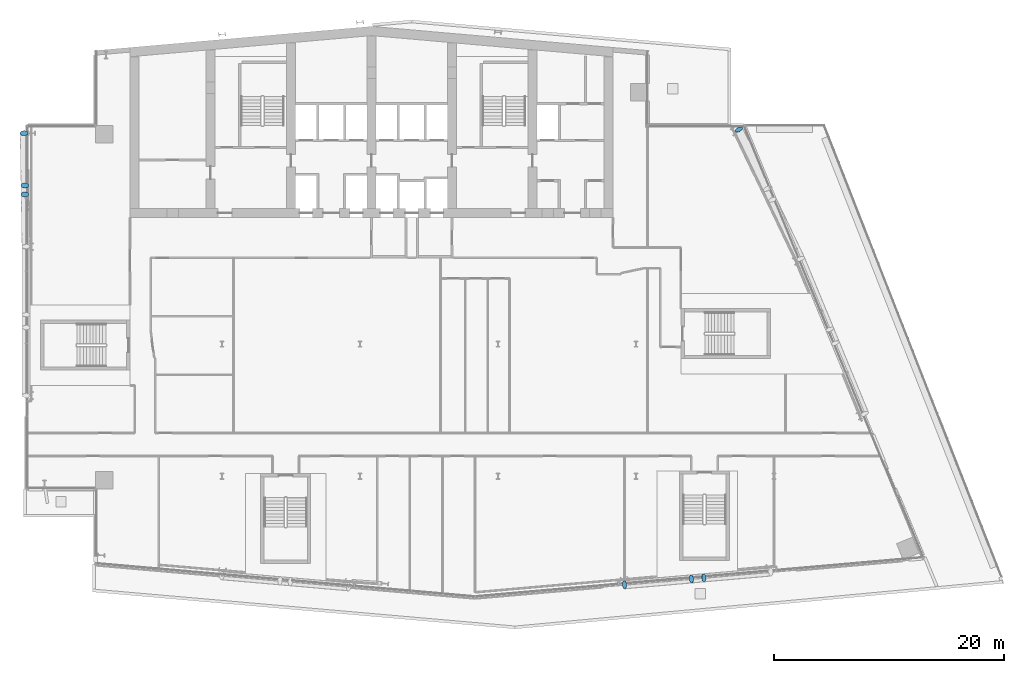
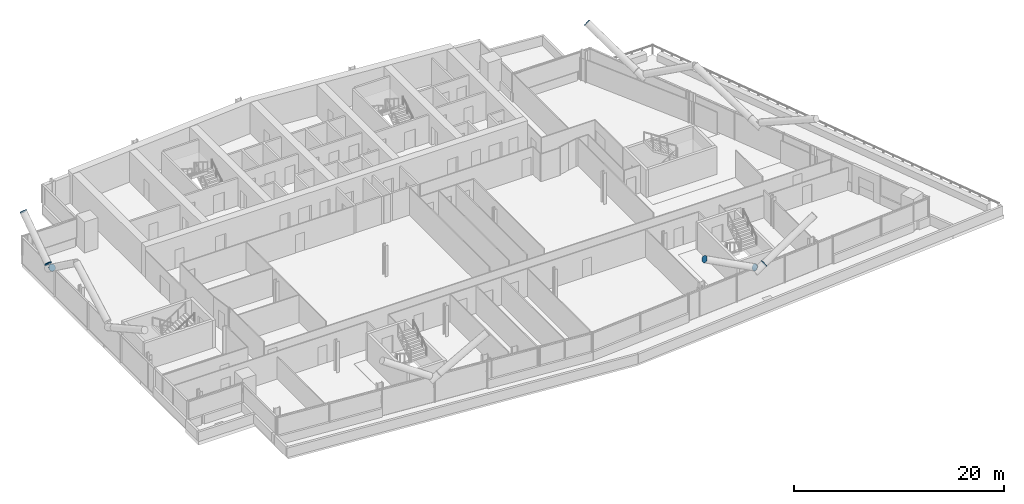
# One storey, part 25 of 30: 7 discrete accessories.
"""IFC4 building model written with IfcOpenShell, lengths in metres."""

import ifcopenshell
import ifcopenshell.guid

model = None  # the IFC model being written
_history = None  # IfcOwnerHistory: only IFC2X3 demands one
_inside = {}  # id of a spatial element -> (the spatial element, [elements in it])
_under = {}  # id of a project, library or spatial element -> (it, [spatial elements below it])
_declared = {}  # id of a project -> (the project, [libraries it declares])
_typed = {}  # id of a type object -> (the type object, [elements of that type])
_made_of = {}  # id of a material, layer set ... -> (it, [elements and type objects made of it])


def new_model(schema):
    """Start an empty IFC model of exactly this schema.

    Asked for "IFC4X3", IfcOpenShell would pick the latest addendum, in which some entities
    have other attributes; the version numbers below select the first issue.
    IFC2X3 requires an IfcOwnerHistory on every rooted entity: one is made here for all.
    """
    global model, _history
    if schema == "IFC4X3":
        model = ifcopenshell.file(schema_version=(4, 3, 0, 0))
    else:
        model = ifcopenshell.file(schema=schema)
    _inside.clear()
    _under.clear()
    _declared.clear()
    _typed.clear()
    _made_of.clear()
    _history = None
    if model.schema == "IFC2X3":
        org = make("IfcOrganization", Name="unknown")
        user = make(
            "IfcPersonAndOrganization",
            ThePerson=make("IfcPerson", FamilyName="unknown"),
            TheOrganization=org,
        )
        app = make(
            "IfcApplication",
            ApplicationDeveloper=org,
            Version="unknown",
            ApplicationFullName="unknown",
            ApplicationIdentifier="unknown",
        )
        _history = make(
            "IfcOwnerHistory",
            OwningUser=user,
            OwningApplication=app,
            ChangeAction="ADDED",
            CreationDate=0,
        )
    return model


def make(cls, **values):
    """One entity of the class cls with the attributes given. An attribute that is None is left unset."""
    return model.create_entity(
        cls, **{name: value for name, value in values.items() if value is not None}
    )


def rooted(cls, **values):
    """An entity with a GlobalId (a new one), such as an element, a storey or a relation."""
    return make(cls, GlobalId=ifcopenshell.guid.new(), OwnerHistory=_history, **values)


def si_unit(unit_type, name, prefix=None):
    """IfcSIUnit, for example si_unit("LENGTHUNIT", "METRE", prefix="MILLI")."""
    return make("IfcSIUnit", UnitType=unit_type, Prefix=prefix, Name=name)


def assignment(units):
    """IfcUnitAssignment: the units of a project."""
    return None if units is None else make("IfcUnitAssignment", Units=units)


def point(xyz):
    """IfcCartesianPoint."""
    return None if xyz is None else make("IfcCartesianPoint", Coordinates=xyz)


def direction(xyz):
    """IfcDirection."""
    return None if xyz is None else make("IfcDirection", DirectionRatios=xyz)


def frame(location, z_axis=None, x_axis=None):
    """IfcAxis2Placement3D, a coordinate frame: its origin and axes. An axis left out is left unset."""
    return make(
        "IfcAxis2Placement3D",
        Location=point(location),
        Axis=direction(z_axis),
        RefDirection=direction(x_axis),
    )


def frame_2d(location, x_axis=None):
    """IfcAxis2Placement2D, a coordinate frame in the plane: its origin and x axis."""
    return make(
        "IfcAxis2Placement2D", Location=point(location), RefDirection=direction(x_axis)
    )


def origin():
    """The frame at (0, 0, 0) with its axes left unset."""
    return frame((0.0, 0.0, 0.0))


def origin_2d():
    """The frame at (0, 0) in the plane with its x axis left unset."""
    return frame_2d((0.0, 0.0))


def place(relative_to, where):
    """IfcLocalPlacement: puts the frame where relative to a parent placement (None: the world)."""
    return make(
        "IfcLocalPlacement", PlacementRelTo=relative_to, RelativePlacement=where
    )


def context(
    kind, dimensions, precision=None, world=None, true_north=None, identifier=None
):
    """IfcGeometricRepresentationContext, for example the 3D "Model" context."""
    return make(
        "IfcGeometricRepresentationContext",
        ContextIdentifier=identifier,
        ContextType=kind,
        CoordinateSpaceDimension=dimensions,
        Precision=precision,
        WorldCoordinateSystem=world,
        TrueNorth=true_north,
    )


def subcontext(parent, identifier, kind, view, scale=None):
    """IfcGeometricRepresentationSubContext, for example "Body" below "Model"."""
    return make(
        "IfcGeometricRepresentationSubContext",
        ContextIdentifier=identifier,
        ContextType=kind,
        ParentContext=parent,
        TargetScale=scale,
        TargetView=view,
    )


def project(units=None, contexts=None):
    """IfcProject with its units and contexts."""
    return rooted(
        "IfcProject",
        Name="project",
        RepresentationContexts=contexts,
        UnitsInContext=assignment(units),
    )


def spatial(cls, under=None, at=None, **own):
    """A site, building, storey or space (cls), placed at a placement, below another one or the project."""
    s = rooted(cls, ObjectPlacement=at, **own)
    if under is not None:
        _under.setdefault(under.id(), (under, []))[1].append(s)
    return s


def profile(cls, at=None, kind="AREA", **sizes):
    """A parametric profile (cls). Its sizes go by their IFC names, for example OverallWidth=200.0."""
    return make(cls, ProfileType=kind, Position=at, **sizes)


def circle(**sizes):
    """IfcCircleProfileDef."""
    return profile("IfcCircleProfileDef", **sizes)


def extrude(swept, where, along, depth):
    """IfcExtrudedAreaSolid: the profile swept, set in the frame where, extruded along a direction by depth."""
    return make(
        "IfcExtrudedAreaSolid",
        SweptArea=swept,
        Position=where,
        ExtrudedDirection=direction(along),
        Depth=depth,
    )


def shape(context_of_items, identifier, shape_type, items):
    """IfcShapeRepresentation: the items that make up one representation, for example the "Body"."""
    return make(
        "IfcShapeRepresentation",
        ContextOfItems=context_of_items,
        RepresentationIdentifier=identifier,
        RepresentationType=shape_type,
        Items=items,
    )


def material(Name=None, Category=None):
    """IfcMaterial."""
    return make("IfcMaterial", Name=Name, Category=Category)


def material_profile(
    of_material, cross_section, Name=None, Category=None, Priority=None
):
    """IfcMaterialProfile: a cross section and its material."""
    return make(
        "IfcMaterialProfile",
        Name=Name,
        Material=of_material,
        Profile=cross_section,
        Priority=Priority,
        Category=Category,
    )


def profile_set(profiles, Name=None, composite=None):
    """IfcMaterialProfileSet."""
    return make(
        "IfcMaterialProfileSet",
        Name=Name,
        MaterialProfiles=profiles,
        CompositeProfile=composite,
    )


def made_of(thing, what):
    """Note that an element or type object is made of a material, layer set ...; save() writes the relation."""
    if what is not None:
        _made_of.setdefault(what.id(), (what, []))[1].append(thing)
    return thing


def type_object(cls, material=None, **own):
    """A type object (cls), such as IfcWallType, which elements share."""
    return made_of(rooted(cls, **own), material)


def element(
    cls,
    number,
    at=None,
    inside=None,
    cuts=None,
    type_object=None,
    material=None,
    context=None,
    identifier="Body",
    shape_type=None,
    held_by="IfcProductDefinitionShape",
    body=None,
    shapes=None,
    **own,
):
    """One element of the class cls, such as IfcWall. Its Tag is "e" and its number.

    at: its placement. inside: the storey or other place that contains it. cuts: it is an
    opening in that element (IfcRelVoidsElement). A single representation is given by context,
    identifier, shape_type and body (its items); several are given by shapes. held_by: the class
    of the entity that holds the representations. save() writes the other relations.
    """
    e = rooted(cls, Tag="e%d" % number, ObjectPlacement=at, **own)
    if body is not None:
        shapes = [shape(context, identifier, shape_type, body)]
    if shapes is not None:
        e.Representation = make(held_by, Representations=shapes)
    if inside is not None:
        _inside.setdefault(inside.id(), (inside, []))[1].append(e)
    if cuts is not None:
        rooted(
            "IfcRelVoidsElement", RelatingBuildingElement=cuts, RelatedOpeningElement=e
        )
    if type_object is not None:
        _typed.setdefault(type_object.id(), (type_object, []))[1].append(e)
    return made_of(e, material)


def aggregate(whole, parts):
    """IfcRelAggregates: a whole, such as a stair, and the parts it consists of."""
    return rooted("IfcRelAggregates", RelatingObject=whole, RelatedObjects=parts)


def save(model, path):
    """Write the relations noted so far, then the file.

    IfcRelAggregates (storeys below a building ...), IfcRelContainedInSpatialStructure (elements
    in a storey), IfcRelDefinesByType, IfcRelAssociatesMaterial and IfcRelDeclares: one each for
    every whole, place, type object, material and project.
    """
    for whole, parts in _under.values():
        aggregate(whole, parts)
    for where, things in _inside.values():
        rooted(
            "IfcRelContainedInSpatialStructure",
            RelatedElements=things,
            RelatingStructure=where,
        )
    for kind, things in _typed.values():
        rooted("IfcRelDefinesByType", RelatedObjects=things, RelatingType=kind)
    for what, things in _made_of.values():
        rooted("IfcRelAssociatesMaterial", RelatedObjects=things, RelatingMaterial=what)
    for by, libraries in _declared.values():
        rooted("IfcRelDeclares", RelatingContext=by, RelatedDefinitions=libraries)
    model.write(path)


model = new_model("IFC4")

# Units and contexts
model_context = context("Model", 3, precision=1e-05, world=origin(), true_north=direction((0.0, 1.0)))
body_context = subcontext(model_context, "Body", "Model", "MODEL_VIEW")
ifc_project = project(units=[si_unit("LENGTHUNIT", "METRE"), si_unit("AREAUNIT", "SQUARE_METRE"), si_unit("VOLUMEUNIT", "CUBIC_METRE"), si_unit("PLANEANGLEUNIT", "RADIAN"), si_unit("MASSUNIT", "GRAM", prefix="KILO")], contexts=[model_context])

# Site, building, storey
site_placement = place(None, origin())
site = spatial("IfcSite", under=ifc_project, at=site_placement, CompositionType="ELEMENT")
building_placement = place(site_placement, origin())
building = spatial("IfcBuilding", under=site, at=building_placement, Name="Wharfspan Tower", CompositionType="ELEMENT")
storey_placement = place(building_placement, frame((0.0, 0.0, 151.899902)))
storey = spatial("IfcBuildingStorey", under=building, at=storey_placement, Name="L36", CompositionType="ELEMENT", Elevation=151.899902)

# Discrete accessories
ifc_material = material(Name="Steel S460NH", Category="steel")
ifc_material_profile = material_profile(ifc_material, circle(Radius=0.355469, at=origin_2d()))
ifc_profile_set = profile_set([ifc_material_profile], Name="Steel S460NH")
discrete_accessory_type = type_object("IfcDiscreteAccessoryType", Name="End plate CHS 711x36", PredefinedType="BRACKET", material=ifc_profile_set)
for number, where, z_axis, x_axis, name in (
    (1, (65.88916, 2.672852, 3.202637), (0.86155, 0.071796, 0.502571), (-0.083046, 0.99655, 0.0), "End plate CHS 711x36"),
    (2, (64.821533, 2.579346, 3.202637), (-0.86155, -0.071796, 0.502571), (0.083046, -0.99655, 0.0), "End plate CHS 711x36"),
    (3, (59.004883, 2.070557, 6.5), (-0.86155, -0.071796, 0.502571), (0.083046, -0.99655, 0.0), "End plate CHS 711x36"),
):
    element("IfcDiscreteAccessory", number, at=place(storey_placement, frame(where, z_axis=z_axis, x_axis=x_axis)), inside=storey, type_object=discrete_accessory_type, Name=name, PredefinedType="BRACKET", context=body_context, shape_type="SweptSolid", body=[
        extrude(circle(Radius=0.355469, at=origin_2d()), origin(), (0.0, 0.0, 1.0), 0.010254),
    ])
discrete_accessory_1_placement = place(storey_placement, frame((6.872559, 36.01709, 3.179443), z_axis=(0.0245, -0.808493, 0.587995), x_axis=(0.999537, 0.03029, 1e-06)))
element("IfcDiscreteAccessory", 4, at=discrete_accessory_1_placement, inside=storey, type_object=discrete_accessory_type, Name="End plate CHS 711x36", PredefinedType="BRACKET", context=body_context, shape_type="SweptSolid", body=[
    extrude(circle(Radius=0.355469, at=origin_2d()), origin(), (0.0, 0.0, 1.0), 0.01001),
])
discrete_accessory_2_placement = place(storey_placement, frame((6.860352, 36.782471, 3.179443), z_axis=(0.0, 0.816968, 0.576683), x_axis=(-1.0, 0.0, 0.0)))
element("IfcDiscreteAccessory", 5, at=discrete_accessory_2_placement, inside=storey, type_object=discrete_accessory_type, Name="End plate CHS 711x36", PredefinedType="BRACKET", context=body_context, shape_type="SweptSolid", body=[
    extrude(circle(Radius=0.355469, at=origin_2d()), origin(), (0.0, 0.0, 1.0), 0.010254),
])
for number, where, z_axis, x_axis, name in (
    (6, (6.788086, 41.333008, 6.5), (-0.024147, 0.79686, 0.603682), (-0.99954, -0.030288, -1e-06), "End plate CHS 711x36"),
    (7, (68.938721, 41.643066, 6.5), (-0.385682, 0.771364, 0.506208), (-0.894428, -0.447214, 0.0), "End plate CHS 711x36"),
):
    element("IfcDiscreteAccessory", number, at=place(storey_placement, frame(where, z_axis=z_axis, x_axis=x_axis)), inside=storey, type_object=discrete_accessory_type, Name=name, PredefinedType="BRACKET", context=body_context, shape_type="SweptSolid", body=[
        extrude(circle(Radius=0.355469, at=origin_2d()), origin(), (0.0, 0.0, 1.0), 0.01001),
    ])

save(model, "model.ifc")
